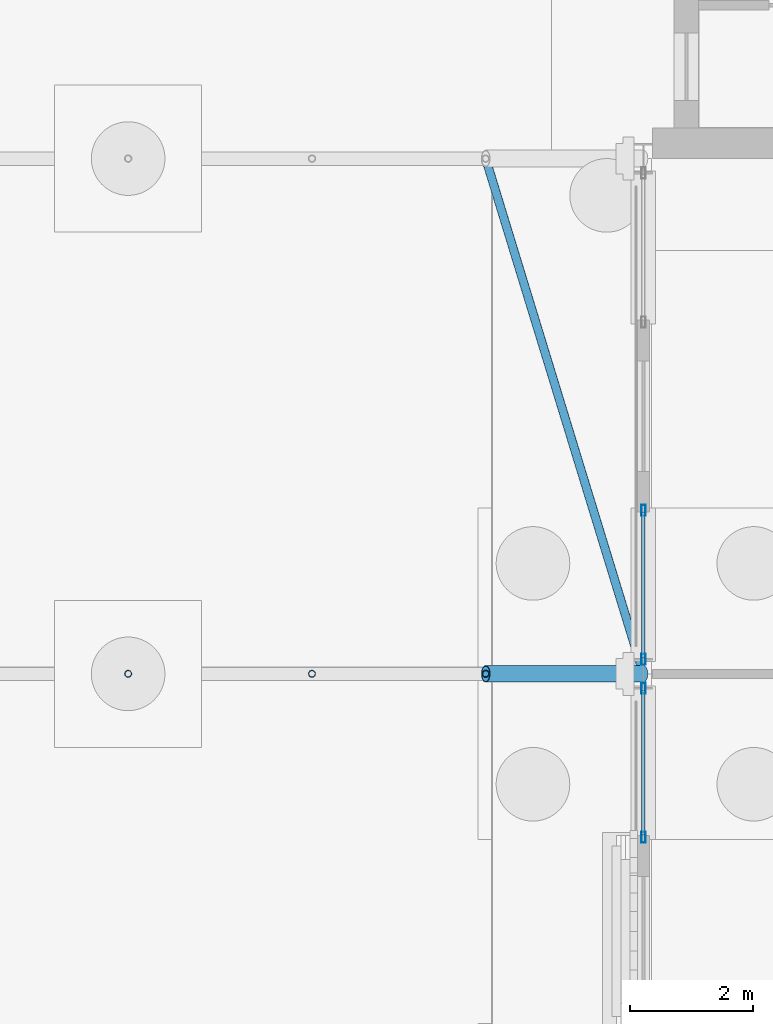
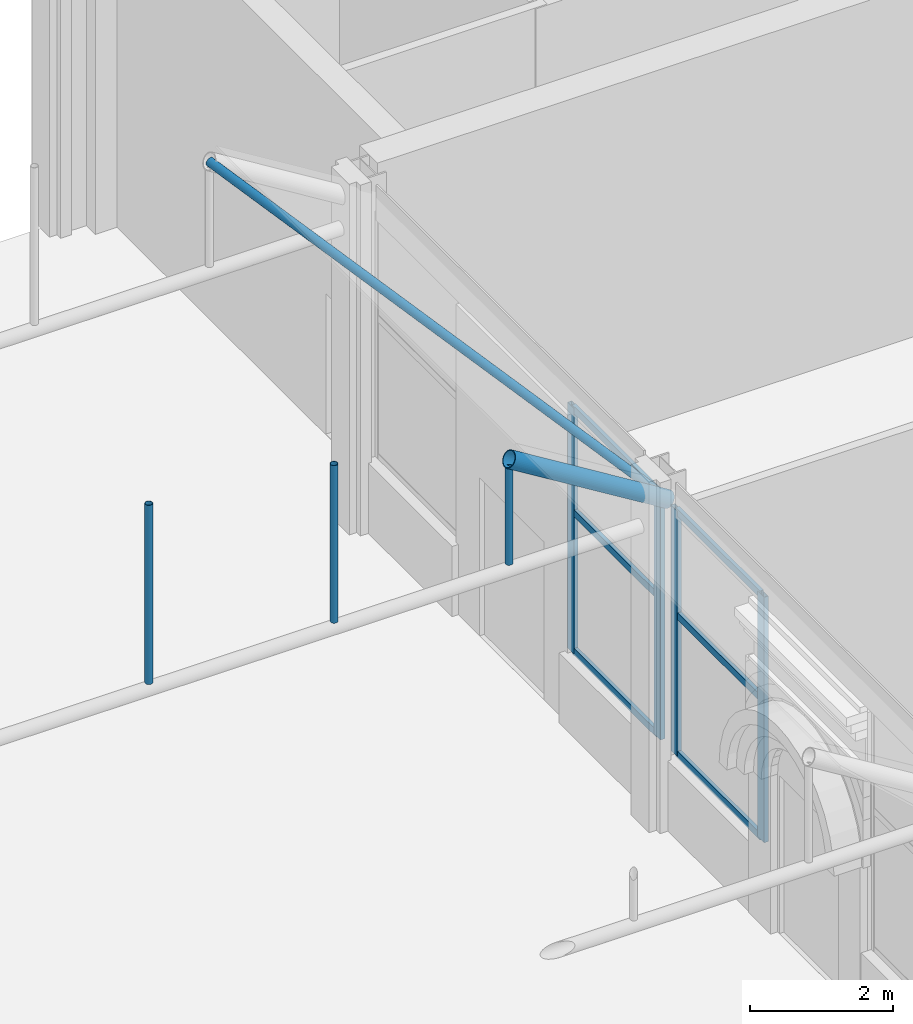
# One storey, part 160 of 212: 15 members, 2 elements without a shape of their own.
"""IFC4 building model written with IfcOpenShell, lengths in metres."""

from ifc_helpers import new_model, si_unit, direction, frame, origin, origin_2d, place, context, subcontext, project, spatial, hollow_rectangle, hollow_circle, extrude, material, material_profile, profile_set, type_object, element, aggregate, save


model = new_model("IFC4")

# Units and contexts
model_context = context("Model", 3, precision=1e-05, world=origin(), true_north=direction((0.0, 1.0)))
body_context = subcontext(model_context, "Body", "Model", "MODEL_VIEW")
ifc_project = project(units=[si_unit("LENGTHUNIT", "METRE"), si_unit("AREAUNIT", "SQUARE_METRE"), si_unit("VOLUMEUNIT", "CUBIC_METRE"), si_unit("PLANEANGLEUNIT", "RADIAN"), si_unit("MASSUNIT", "GRAM", prefix="KILO")], contexts=[model_context])

# Site, building, storey
site_placement = place(None, origin())
site = spatial("IfcSite", under=ifc_project, at=site_placement, CompositionType="ELEMENT")
building_placement = place(site_placement, origin())
building = spatial("IfcBuilding", under=site, at=building_placement, Name="Catenary Quay Ferry Terminal", CompositionType="ELEMENT")
storey_placement = place(building_placement, origin())
storey = spatial("IfcBuildingStorey", under=building, at=storey_placement, Name="L00", CompositionType="ELEMENT", Elevation=0.0)

# Members
ifc_material_1 = material(Name="Steel S355", Category="steel")
ifc_material_profile_1 = material_profile(ifc_material_1, hollow_circle(Radius=0.06982421875, WallThickness=0.008056640625, at=origin_2d()), Name="CHS 139.7x8")
ifc_profile_set_1 = profile_set([ifc_material_profile_1], Name="Steel S355")
member_type_1 = type_object("IfcMemberType", Name="BR1 CHS 139.7x8", PredefinedType="BRACE", material=ifc_profile_set_1)
member_1_placement = place(storey_placement, frame((22.62890625, 201.60009765625, 6.98388671875), z_axis=(0.288006581724, -0.941056713544, -0.177382273011), x_axis=(0.956220431368, 0.292647375922, 0.0)))
element("IfcMember", 1, at=member_1_placement, inside=storey, type_object=member_type_1, Name="Roof brace BR-FC-16-06", PredefinedType="BRACE", context=body_context, shape_type="SweptSolid", body=[
    extrude(hollow_circle(Radius=0.06982421875, WallThickness=0.008056640625, at=origin_2d()), origin(), (0.0, 0.0, 1.0), 8.7880859375),
])
ifc_material_2 = material(Name="Steel S355", Category="steel")
ifc_material_profile_2 = material_profile(ifc_material_2, hollow_circle(Radius=0.05712890625, WallThickness=0.00634765625, at=origin_2d()), Name="CHS 114.3x6.3")
ifc_profile_set_2 = profile_set([ifc_material_profile_2], Name="Steel S355")
member_type_2 = type_object("IfcMemberType", Name="HG1 CHS 114.3x6.3", PredefinedType="POST", material=ifc_profile_set_2)
member_2_placement = place(storey_placement, frame((16.800048828125, 193.199951171875, 5.205078125), z_axis=(0.0, 0.0, 1.0), x_axis=(1.0, 0.0, 0.0)))
element("IfcMember", 2, at=member_2_placement, inside=storey, type_object=member_type_2, Name="Hanger FC-16-03", PredefinedType="POST", context=body_context, shape_type="SweptSolid", body=[
    extrude(hollow_circle(Radius=0.05712890625, WallThickness=0.00634765625, at=origin_2d()), origin(), (0.0, 0.0, 1.0), 3.06494140625),
])
member_3_placement = place(storey_placement, frame((19.797119140625, 193.199951171875, 5.205078125), z_axis=(0.0, 0.0, 1.0), x_axis=(1.0, 0.0, 0.0)))
element("IfcMember", 3, at=member_3_placement, inside=storey, type_object=member_type_2, Name="Hanger FC-16-04", PredefinedType="POST", context=body_context, shape_type="SweptSolid", body=[
    extrude(hollow_circle(Radius=0.05712890625, WallThickness=0.00634765625, at=origin_2d()), origin(), (0.0, 0.0, 1.0), 2.69580078125),
])
member_4_placement = place(storey_placement, frame((22.62890625, 193.199951171875, 5.205078125), z_axis=(0.0, 0.0, 1.0), x_axis=(1.0, 0.0, 0.0)))
element("IfcMember", 4, at=member_4_placement, inside=storey, type_object=member_type_2, Name="Hanger FC-16-05", PredefinedType="POST", context=body_context, shape_type="SweptSolid", body=[
    extrude(hollow_circle(Radius=0.05712890625, WallThickness=0.00634765625, at=origin_2d()), origin(), (0.0, 0.0, 1.0), 1.64892578125),
])

# Curtain wall, members
ifc_material_3 = material(Name="Aluminium and glass", Category="aluminium")
curtain_wall_type = type_object("IfcCurtainWallType", Name="CWW1", PredefinedType="NOTDEFINED", material=ifc_material_3)
curtain_wall_1_placement = place(storey_placement, origin())
curtain_wall_1 = element("IfcCurtainWall", 5, at=curtain_wall_1_placement, inside=storey, type_object=curtain_wall_type, Name="Wing curtain wall CW110", PredefinedType="NOTDEFINED")
ifc_material_4 = material(Name="Aluminium", Category="aluminium")
ifc_material_profile_3 = material_profile(ifc_material_4, hollow_rectangle(XDim=0.070068359375, YDim=0.179931640625, WallThickness=0.006103515625, at=origin_2d()), Name="MU3")
ifc_profile_set_3 = profile_set([ifc_material_profile_3], Name="Aluminium")
member_type_3 = type_object("IfcMemberType", Name="MU3", PredefinedType="MULLION", material=ifc_profile_set_3)
member_5_placement = place(storey_placement, frame((25.199951171875, 190.534912109375, 1.199951171875), z_axis=(0.0, 0.0, 1.0), x_axis=(-1.0, 0.0, 0.0)))
member_5 = element("IfcMember", 6, at=member_5_placement, type_object=member_type_3, Name="CW110 mullion 1", PredefinedType="MULLION", context=body_context, shape_type="SweptSolid", body=[
    extrude(hollow_rectangle(XDim=0.070068359375, YDim=0.179931640625, WallThickness=0.006103515625, at=origin_2d()), origin(), (0.0, 0.0, 1.0), 4.199951171875),
])
member_6_placement = place(storey_placement, frame((25.199951171875, 192.965087890625, 1.199951171875), z_axis=(0.0, 0.0, 1.0), x_axis=(-1.0, 0.0, 0.0)))
member_6 = element("IfcMember", 7, at=member_6_placement, type_object=member_type_3, Name="CW110 mullion 2", PredefinedType="MULLION", context=body_context, shape_type="SweptSolid", body=[
    extrude(hollow_rectangle(XDim=0.070068359375, YDim=0.179931640625, WallThickness=0.006103515625, at=origin_2d()), origin(), (0.0, 0.0, 1.0), 4.199951171875),
])

curtain_wall_2_placement = place(storey_placement, origin())
curtain_wall_2 = element("IfcCurtainWall", 8, at=curtain_wall_2_placement, inside=storey, type_object=curtain_wall_type, Name="Wing curtain wall CW111", PredefinedType="NOTDEFINED")
member_7_placement = place(storey_placement, frame((25.199951171875, 193.43505859375, 1.199951171875), z_axis=(0.0, 0.0, 1.0), x_axis=(-1.0, 0.0, 0.0)))
member_7 = element("IfcMember", 9, at=member_7_placement, type_object=member_type_3, Name="CW111 mullion 1", PredefinedType="MULLION", context=body_context, shape_type="SweptSolid", body=[
    extrude(hollow_rectangle(XDim=0.070068359375, YDim=0.179931640625, WallThickness=0.006103515625, at=origin_2d()), origin(), (0.0, 0.0, 1.0), 4.199951171875),
])
member_8_placement = place(storey_placement, frame((25.199951171875, 195.864990234375, 1.199951171875), z_axis=(0.0, 0.0, 1.0), x_axis=(-1.0, 0.0, 0.0)))
member_8 = element("IfcMember", 10, at=member_8_placement, type_object=member_type_3, Name="CW111 mullion 2", PredefinedType="MULLION", context=body_context, shape_type="SweptSolid", body=[
    extrude(hollow_rectangle(XDim=0.070068359375, YDim=0.179931640625, WallThickness=0.006103515625, at=origin_2d()), origin(), (0.0, 0.0, 1.0), 4.199951171875),
])

# Member
ifc_material_5 = material(Name="Aluminium", Category="aluminium")
ifc_material_profile_4 = material_profile(ifc_material_5, hollow_rectangle(XDim=0.06005859375, YDim=0.1201171875, WallThickness=0.0048828125, at=origin_2d()), Name="TR3")
ifc_profile_set_4 = profile_set([ifc_material_profile_4], Name="Aluminium")
member_type_4 = type_object("IfcMemberType", Name="TR3", PredefinedType="USERDEFINED", material=ifc_profile_set_4)
member_9_placement = place(storey_placement, frame((25.199951171875, 190.570068359375, 1.22998046875), z_axis=(0.0, 1.0, 0.0), x_axis=(-1.0, 0.0, 0.0)))
member_9 = element("IfcMember", 11, at=member_9_placement, type_object=member_type_4, Name="CW110 transom 1.1", ObjectType="TRANSOM", PredefinedType="USERDEFINED", context=body_context, shape_type="SweptSolid", body=[
    extrude(hollow_rectangle(XDim=0.06005859375, YDim=0.1201171875, WallThickness=0.0048828125, at=origin_2d()), origin(), (0.0, 0.0, 1.0), 2.35986328125),
])

member_10_placement = place(storey_placement, frame((25.199951171875, 190.570068359375, 3.60009765625), z_axis=(0.0, 1.0, 0.0), x_axis=(-1.0, 0.0, 0.0)))
member_10 = element("IfcMember", 12, at=member_10_placement, type_object=member_type_4, Name="CW110 transom 1.2", ObjectType="TRANSOM", PredefinedType="USERDEFINED", context=body_context, shape_type="SweptSolid", body=[
    extrude(hollow_rectangle(XDim=0.06005859375, YDim=0.1201171875, WallThickness=0.0048828125, at=origin_2d()), origin(), (0.0, 0.0, 1.0), 2.35986328125),
])

member_11_placement = place(storey_placement, frame((25.199951171875, 190.570068359375, 5.3701171875), z_axis=(0.0, 1.0, 0.0), x_axis=(-1.0, 0.0, 0.0)))
member_11 = element("IfcMember", 13, at=member_11_placement, type_object=member_type_4, Name="CW110 transom 1.3", ObjectType="TRANSOM", PredefinedType="USERDEFINED", context=body_context, shape_type="SweptSolid", body=[
    extrude(hollow_rectangle(XDim=0.06005859375, YDim=0.1201171875, WallThickness=0.0048828125, at=origin_2d()), origin(), (0.0, 0.0, 1.0), 2.35986328125),
])

aggregate(curtain_wall_1, [member_5, member_6, member_9, member_10, member_11])

member_12_placement = place(storey_placement, frame((25.199951171875, 193.469970703125, 1.22998046875), z_axis=(0.0, 1.0, 0.0), x_axis=(-1.0, 0.0, 0.0)))
member_12 = element("IfcMember", 14, at=member_12_placement, type_object=member_type_4, Name="CW111 transom 1.1", ObjectType="TRANSOM", PredefinedType="USERDEFINED", context=body_context, shape_type="SweptSolid", body=[
    extrude(hollow_rectangle(XDim=0.06005859375, YDim=0.1201171875, WallThickness=0.0048828125, at=origin_2d()), origin(), (0.0, 0.0, 1.0), 2.360107421875),
])

member_13_placement = place(storey_placement, frame((25.199951171875, 193.469970703125, 3.60009765625), z_axis=(0.0, 1.0, 0.0), x_axis=(-1.0, 0.0, 0.0)))
member_13 = element("IfcMember", 15, at=member_13_placement, type_object=member_type_4, Name="CW111 transom 1.2", ObjectType="TRANSOM", PredefinedType="USERDEFINED", context=body_context, shape_type="SweptSolid", body=[
    extrude(hollow_rectangle(XDim=0.06005859375, YDim=0.1201171875, WallThickness=0.0048828125, at=origin_2d()), origin(), (0.0, 0.0, 1.0), 2.360107421875),
])

member_14_placement = place(storey_placement, frame((25.199951171875, 193.469970703125, 5.3701171875), z_axis=(0.0, 1.0, 0.0), x_axis=(-1.0, 0.0, 0.0)))
member_14 = element("IfcMember", 16, at=member_14_placement, type_object=member_type_4, Name="CW111 transom 1.3", ObjectType="TRANSOM", PredefinedType="USERDEFINED", context=body_context, shape_type="SweptSolid", body=[
    extrude(hollow_rectangle(XDim=0.06005859375, YDim=0.1201171875, WallThickness=0.0048828125, at=origin_2d()), origin(), (0.0, 0.0, 1.0), 2.360107421875),
])

aggregate(curtain_wall_2, [member_7, member_8, member_12, member_13, member_14])

ifc_material_6 = material(Name="Steel S355", Category="steel")
ifc_material_profile_5 = material_profile(ifc_material_6, hollow_circle(Radius=0.136474609375, WallThickness=0.012451171875, at=origin_2d()), Name="CHS 273x12.5")
ifc_profile_set_5 = profile_set([ifc_material_profile_5], Name="Steel S355")
member_type_5 = type_object("IfcMemberType", Name="VR2 CHS 273x12.5", PredefinedType="RAFTER", material=ifc_profile_set_5)
member_15_placement = place(storey_placement, frame((22.62890625, 193.199951171875, 6.98388671875), z_axis=(0.851391726314, 0.0, -0.524530388408), x_axis=(0.0, 1.0, 0.0)))
element("IfcMember", 17, at=member_15_placement, inside=storey, type_object=member_type_5, Name="rib FC-16-06", PredefinedType="RAFTER", context=body_context, shape_type="SweptSolid", body=[
    extrude(hollow_circle(Radius=0.136474609375, WallThickness=0.012451171875, at=origin_2d()), origin(), (0.0, 0.0, 1.0), 3.019775390625),
])

save(model, "model.ifc")
